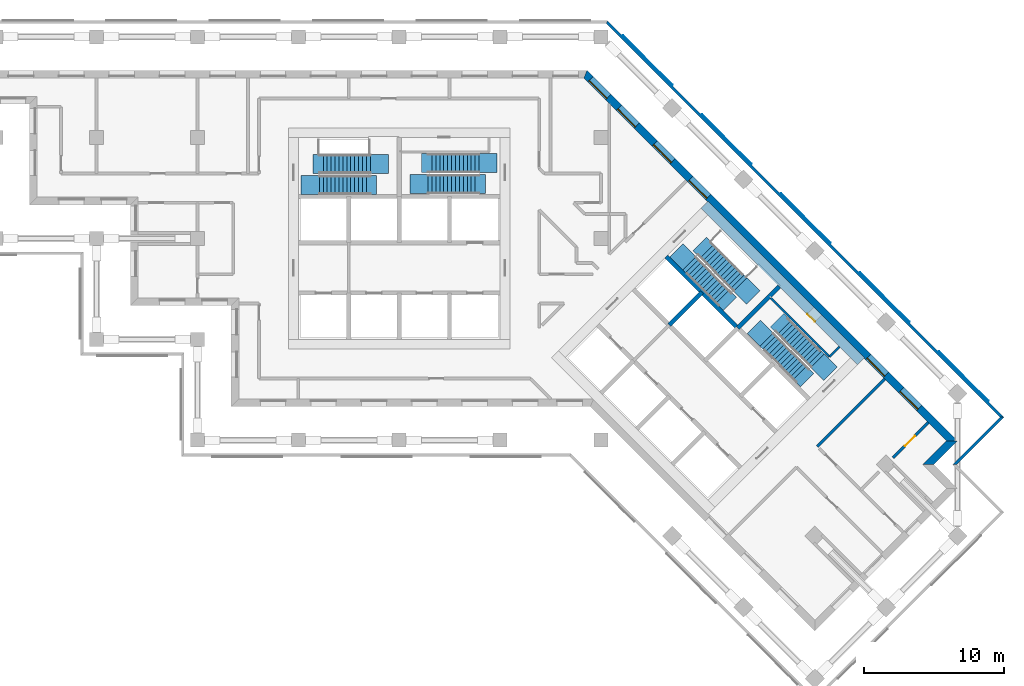
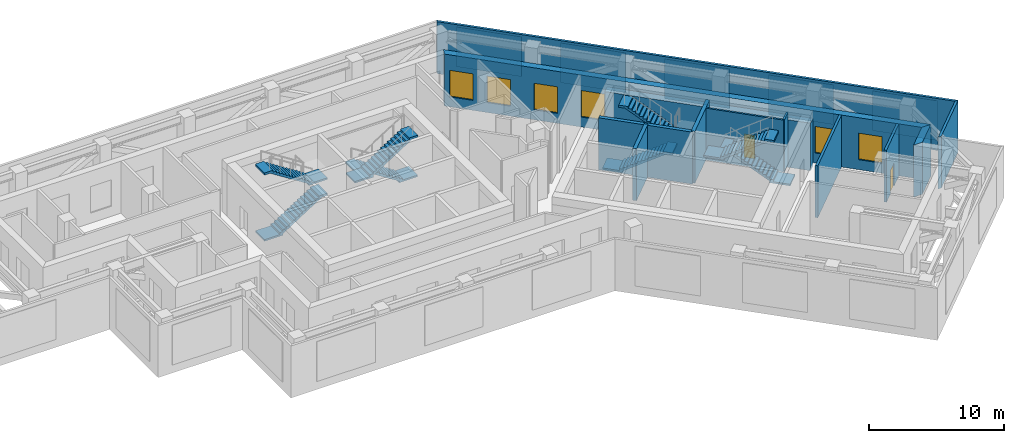
# One storey, part 7 of 9: 12 walls, 8 stair flights, 6 windows, 5 plates, 2 doors, 8 openings, 4 elements without a shape of their own.
"""IFC4 building model written with IfcOpenShell, lengths in metres."""

from ifc_helpers import new_model, si_unit, direction, frame, frame_2d, origin, place, context, subcontext, project, spatial, polyline, rectangle, outline, extrude, material, layer, layer_set, type_object, element, fill, aggregate, save


model = new_model("IFC4")

# Units and contexts
model_context = context("Model", 3, precision=1e-05, world=origin(), true_north=direction((0.0, 1.0)))
body_context = subcontext(model_context, "Body", "Model", "MODEL_VIEW")
ifc_project = project(units=[si_unit("LENGTHUNIT", "METRE"), si_unit("AREAUNIT", "SQUARE_METRE"), si_unit("VOLUMEUNIT", "CUBIC_METRE"), si_unit("PLANEANGLEUNIT", "RADIAN"), si_unit("MASSUNIT", "GRAM", prefix="KILO")], contexts=[model_context])

# Plate
ifc_material_1 = material(Name="Aluminium louvre", Category="aluminium")
ifc_layer_1 = layer(ifc_material_1, 0.05)
ifc_layer_set_1 = layer_set([ifc_layer_1], Name="Belt louvre panel 5000x3600")
plate_type = type_object("IfcPlateType", Name="Belt louvre panel 5000x3600", PredefinedType="SHEET", material=ifc_layer_set_1)
site_placement = place(None, origin())
building_placement = place(site_placement, origin())
storey_placement = place(building_placement, frame((0.0, 0.0, 126.2)))
plate_1_placement = place(storey_placement, frame((106.8914, 46.0057, 0.75), z_axis=(0.7070967812, 0.7071167811, 0.0), x_axis=(-0.7071167811, 0.7070967812, 0.0)))
plate_1 = element("IfcPlate", 1, at=plate_1_placement, type_object=plate_type, Name="Belt louvre panel L34 11.1", PredefinedType="SHEET", context=body_context, shape_type="SweptSolid", body=[
    extrude(outline(polyline([(0.0, 0.0), (5.0, 0.0), (5.0, 3.6), (0.0, 3.6), (0.0, 0.0)])), origin(), (0.0, 0.0, -1.0), 0.05),
])

plate_2_placement = place(storey_placement, frame((101.2508, 51.6463, 0.75), z_axis=(0.7070967812, 0.7071167811, 0.0), x_axis=(-0.7071167811, 0.7070967812, 0.0)))
plate_2 = element("IfcPlate", 2, at=plate_2_placement, type_object=plate_type, Name="Belt louvre panel L34 12.2", PredefinedType="SHEET", context=body_context, shape_type="SweptSolid", body=[
    extrude(outline(polyline([(0.0, 0.0), (5.0, 0.0), (5.0, 3.6), (0.0, 3.6), (0.0, 0.0)])), origin(), (0.0, 0.0, -1.0), 0.05),
])

plate_3_placement = place(storey_placement, frame((95.6102, 57.2869, 0.75), z_axis=(0.7070967812, 0.7071167811, 0.0), x_axis=(-0.7071167811, 0.7070967812, 0.0)))
plate_3 = element("IfcPlate", 3, at=plate_3_placement, type_object=plate_type, Name="Belt louvre panel L34 13.3", PredefinedType="SHEET", context=body_context, shape_type="SweptSolid", body=[
    extrude(outline(polyline([(0.0, 0.0), (5.0, 0.0), (5.0, 3.6), (0.0, 3.6), (0.0, 0.0)])), origin(), (0.0, 0.0, -1.0), 0.05),
])

plate_4_placement = place(storey_placement, frame((89.9697, 62.9274, 0.75), z_axis=(0.7070967812, 0.7071167811, 0.0), x_axis=(-0.7071167811, 0.7070967812, 0.0)))
plate_4 = element("IfcPlate", 4, at=plate_4_placement, type_object=plate_type, Name="Belt louvre panel L34 14.4", PredefinedType="SHEET", context=body_context, shape_type="SweptSolid", body=[
    extrude(outline(polyline([(0.0, 0.0), (5.0, 0.0), (5.0, 3.6), (0.0, 3.6), (0.0, 0.0)])), origin(), (0.0, 0.0, -1.0), 0.05),
])

plate_5_placement = place(storey_placement, frame((84.3291, 68.568, 0.75), z_axis=(0.7070967812, 0.7071167811, 0.0), x_axis=(-0.7071167811, 0.7070967812, 0.0)))
plate_5 = element("IfcPlate", 5, at=plate_5_placement, type_object=plate_type, Name="Belt louvre panel L34 15.5", PredefinedType="SHEET", context=body_context, shape_type="SweptSolid", body=[
    extrude(outline(polyline([(0.0, 0.0), (5.0, 0.0), (5.0, 3.6), (0.0, 3.6), (0.0, 0.0)])), origin(), (0.0, 0.0, -1.0), 0.05),
])

# Site, building, storey
site = spatial("IfcSite", under=ifc_project, at=site_placement, CompositionType="ELEMENT")
building = spatial("IfcBuilding", under=site, at=building_placement, Name="Windrow Commons", CompositionType="ELEMENT")
storey = spatial("IfcBuildingStorey", under=building, at=storey_placement, Name="L34", CompositionType="ELEMENT", Elevation=126.2)

# Wall
ifc_material_2 = material(Name="Concrete C40/50 precast screen panel", Category="concrete")
ifc_layer_2 = layer(ifc_material_2, 0.2)
ifc_layer_set_2 = layer_set([ifc_layer_2], Name="Belt screen wall 200")
wall_type_1 = type_object("IfcWallType", Name="Belt screen wall 200", PredefinedType="SOLIDWALL", material=ifc_layer_set_2)
wall_1_placement = place(storey_placement, frame((104.4437, 41.453, 0.0), z_axis=(0.0, 0.0, 1.0), x_axis=(0.7071067812, 0.7071067812, 0.0)))
element("IfcWall", 6, at=wall_1_placement, inside=storey, type_object=wall_type_1, Name="Belt screen wall L34 4", PredefinedType="SOLIDWALL", context=body_context, shape_type="SweptSolid", body=[
    extrude(outline(polyline([(0.1, -0.1), (4.9, -0.1), (4.7, 0.1), (-0.1, 0.1), (0.1, -0.1)])), origin(), (0.0, 0.0, 1.0), 4.7),
])

wall_2_placement = place(storey_placement, frame((107.8378, 44.8471, 0.0), z_axis=(0.0, 0.0, 1.0), x_axis=(-0.7071067812, 0.7071067812, 0.0)))
wall_2 = element("IfcWall", 7, at=wall_2_placement, inside=storey, type_object=wall_type_1, Name="Belt screen wall L34 11", PredefinedType="SOLIDWALL", context=body_context, shape_type="SweptSolid", body=[
    extrude(outline(polyline([(-0.1, -0.1), (39.9263, -0.1), (39.8435, 0.1), (0.1, 0.1), (-0.1, -0.1)])), origin(), (0.0, 0.0, 1.0), 4.7),
])

aggregate(wall_2, [plate_1, plate_2, plate_3, plate_4, plate_5])

ifc_material_3 = material(Name="Brick masonry, red clay brick", Category="masonry")
ifc_layer_3 = layer(ifc_material_3, 0.55)
ifc_layer_set_3 = layer_set([ifc_layer_3], Name="Brick facade wall 550")
wall_type_2 = type_object("IfcWallType", Name="Brick facade wall 550", PredefinedType="SOLIDWALL", material=ifc_layer_set_3)
wall_3_placement = place(storey_placement, frame((102.5699, 41.453, 0.0), z_axis=(0.0, 0.0, 1.0), x_axis=(0.7071067812, 0.7071067812, 0.0)))
element("IfcWall", 8, at=wall_3_placement, inside=storey, type_object=wall_type_2, Name="Brick facade wall L34 2", PredefinedType="SOLIDWALL", context=body_context, shape_type="SweptSolid", body=[
    extrude(outline(polyline([(0.275, -0.275), (2.6749, -0.275), (2.1249, 0.275), (-0.275, 0.275), (0.275, -0.275)])), origin(), (0.0, 0.0, 1.0), 4.7),
])

# Wall, openings, windows
wall_4_placement = place(storey_placement, frame((104.2669, 43.15, 0.0), z_axis=(0.0, 0.0, 1.0), x_axis=(-0.7071054305, 0.7071081319, 0.0)))
wall_4 = element("IfcWall", 9, at=wall_4_placement, inside=storey, type_object=wall_type_2, Name="Brick facade wall L34 3", PredefinedType="SOLIDWALL", context=body_context, shape_type="SweptSolid", body=[
    extrude(outline(polyline([(-0.275, -0.275), (37.1309, -0.275), (36.9031, 0.275), (0.275, 0.275), (-0.275, -0.275)])), origin(), (0.0, 0.0, 1.0), 4.7),
])
opening_1_placement = place(wall_4_placement, frame((3.325, 0.0, 0.9)))
opening_1 = element("IfcOpeningElement", 10, at=opening_1_placement, cuts=wall_4, Name="Opening LV1", PredefinedType="OPENING", context=body_context, shape_type="SweptSolid", body=[
    extrude(rectangle(XDim=1.8, YDim=2.4, at=frame_2d((0.9, 1.2))), frame((0.0, 0.285, 0.0), z_axis=(0.0, -1.0, 0.0), x_axis=(1.0, 0.0, 0.0)), (0.0, 0.0, 1.0), 0.57),
])
opening_2_placement = place(wall_4_placement, frame((6.675, 0.0, 0.9)))
opening_2 = element("IfcOpeningElement", 11, at=opening_2_placement, cuts=wall_4, Name="Opening LV1", PredefinedType="OPENING", context=body_context, shape_type="SweptSolid", body=[
    extrude(rectangle(XDim=1.8, YDim=2.4, at=frame_2d((0.9, 1.2))), frame((0.0, 0.285, 0.0), z_axis=(0.0, -1.0, 0.0), x_axis=(1.0, 0.0, 0.0)), (0.0, 0.0, 1.0), 0.57),
])
opening_3_placement = place(wall_4_placement, frame((24.625, 0.0, 0.9)))
opening_3 = element("IfcOpeningElement", 12, at=opening_3_placement, cuts=wall_4, Name="Opening LV1", PredefinedType="OPENING", context=body_context, shape_type="SweptSolid", body=[
    extrude(rectangle(XDim=1.8, YDim=2.4, at=frame_2d((0.9, 1.2))), frame((0.0, 0.285, 0.0), z_axis=(0.0, -1.0, 0.0), x_axis=(1.0, 0.0, 0.0)), (0.0, 0.0, 1.0), 0.57),
])
opening_4_placement = place(wall_4_placement, frame((28.225, 0.0, 0.9)))
opening_4 = element("IfcOpeningElement", 13, at=opening_4_placement, cuts=wall_4, Name="Opening LV1", PredefinedType="OPENING", context=body_context, shape_type="SweptSolid", body=[
    extrude(rectangle(XDim=1.8, YDim=2.4, at=frame_2d((0.9, 1.2))), frame((0.0, 0.285, 0.0), z_axis=(0.0, -1.0, 0.0), x_axis=(1.0, 0.0, 0.0)), (0.0, 0.0, 1.0), 0.57),
])
opening_5_placement = place(wall_4_placement, frame((31.825, 0.0, 0.9)))
opening_5 = element("IfcOpeningElement", 14, at=opening_5_placement, cuts=wall_4, Name="Opening LV1", PredefinedType="OPENING", context=body_context, shape_type="SweptSolid", body=[
    extrude(rectangle(XDim=1.8, YDim=2.4, at=frame_2d((0.9, 1.2))), frame((0.0, 0.285, 0.0), z_axis=(0.0, -1.0, 0.0), x_axis=(1.0, 0.0, 0.0)), (0.0, 0.0, 1.0), 0.57),
])
opening_6_placement = place(wall_4_placement, frame((34.714, 0.0, 0.9)))
opening_6 = element("IfcOpeningElement", 15, at=opening_6_placement, cuts=wall_4, Name="Opening LV1", PredefinedType="OPENING", context=body_context, shape_type="SweptSolid", body=[
    extrude(rectangle(XDim=1.8, YDim=2.4, at=frame_2d((0.9, 1.2))), frame((0.0, 0.285, 0.0), z_axis=(0.0, -1.0, 0.0), x_axis=(1.0, 0.0, 0.0)), (0.0, 0.0, 1.0), 0.57),
])
ifc_material_4 = material(Name="Aluminium 6063-T6 anodised louvre", Category="aluminium")
window_type = type_object("IfcWindowType", Name="Plant louvre 1800x2400", PartitioningType="SINGLE_PANEL", PredefinedType="WINDOW", material=ifc_material_4)
window_1_placement = place(opening_1_placement, origin())
window_1 = element("IfcWindow", 16, at=window_1_placement, inside=storey, type_object=window_type, Name="Louvre L34 3.1", OverallHeight=2.4, OverallWidth=1.8, PartitioningType="SINGLE_PANEL", PredefinedType="WINDOW", context=body_context, shape_type="SweptSolid", body=[
    extrude(rectangle(XDim=1.8, YDim=2.4, at=frame_2d((0.9, 1.2))), frame((0.0, 0.155, 0.0), z_axis=(0.0, -1.0, 0.0), x_axis=(1.0, 0.0, 0.0)), (0.0, 0.0, 1.0), 0.06),
])
fill(opening_1, window_1)
window_2_placement = place(opening_2_placement, origin())
window_2 = element("IfcWindow", 17, at=window_2_placement, inside=storey, type_object=window_type, Name="Louvre L34 3.2", OverallHeight=2.4, OverallWidth=1.8, PartitioningType="SINGLE_PANEL", PredefinedType="WINDOW", context=body_context, shape_type="SweptSolid", body=[
    extrude(rectangle(XDim=1.8, YDim=2.4, at=frame_2d((0.9, 1.2))), frame((0.0, 0.155, 0.0), z_axis=(0.0, -1.0, 0.0), x_axis=(1.0, 0.0, 0.0)), (0.0, 0.0, 1.0), 0.06),
])
fill(opening_2, window_2)
window_3_placement = place(opening_3_placement, origin())
window_3 = element("IfcWindow", 18, at=window_3_placement, inside=storey, type_object=window_type, Name="Louvre L34 3.3", OverallHeight=2.4, OverallWidth=1.8, PartitioningType="SINGLE_PANEL", PredefinedType="WINDOW", context=body_context, shape_type="SweptSolid", body=[
    extrude(rectangle(XDim=1.8, YDim=2.4, at=frame_2d((0.9, 1.2))), frame((0.0, 0.155, 0.0), z_axis=(0.0, -1.0, 0.0), x_axis=(1.0, 0.0, 0.0)), (0.0, 0.0, 1.0), 0.06),
])
fill(opening_3, window_3)
window_4_placement = place(opening_4_placement, origin())
window_4 = element("IfcWindow", 19, at=window_4_placement, inside=storey, type_object=window_type, Name="Louvre L34 3.4", OverallHeight=2.4, OverallWidth=1.8, PartitioningType="SINGLE_PANEL", PredefinedType="WINDOW", context=body_context, shape_type="SweptSolid", body=[
    extrude(rectangle(XDim=1.8, YDim=2.4, at=frame_2d((0.9, 1.2))), frame((0.0, 0.155, 0.0), z_axis=(0.0, -1.0, 0.0), x_axis=(1.0, 0.0, 0.0)), (0.0, 0.0, 1.0), 0.06),
])
fill(opening_4, window_4)
window_5_placement = place(opening_5_placement, origin())
window_5 = element("IfcWindow", 20, at=window_5_placement, inside=storey, type_object=window_type, Name="Louvre L34 3.5", OverallHeight=2.4, OverallWidth=1.8, PartitioningType="SINGLE_PANEL", PredefinedType="WINDOW", context=body_context, shape_type="SweptSolid", body=[
    extrude(rectangle(XDim=1.8, YDim=2.4, at=frame_2d((0.9, 1.2))), frame((0.0, 0.155, 0.0), z_axis=(0.0, -1.0, 0.0), x_axis=(1.0, 0.0, 0.0)), (0.0, 0.0, 1.0), 0.06),
])
fill(opening_5, window_5)
window_6_placement = place(opening_6_placement, origin())
window_6 = element("IfcWindow", 21, at=window_6_placement, inside=storey, type_object=window_type, Name="Louvre L34 3.6", OverallHeight=2.4, OverallWidth=1.8, PartitioningType="SINGLE_PANEL", PredefinedType="WINDOW", context=body_context, shape_type="SweptSolid", body=[
    extrude(rectangle(XDim=1.8, YDim=2.4, at=frame_2d((0.9, 1.2))), frame((0.0, 0.155, 0.0), z_axis=(0.0, -1.0, 0.0), x_axis=(1.0, 0.0, 0.0)), (0.0, 0.0, 1.0), 0.06),
])
fill(opening_6, window_6)

# Wall
ifc_material_5 = material(Name="Blockwork partition", Category="masonry")
ifc_layer_4 = layer(ifc_material_5, 0.2)
ifc_layer_set_4 = layer_set([ifc_layer_4], Name="IW-CORRIDOR-200")
wall_type_3 = type_object("IfcWallType", Name="IW-CORRIDOR-200", PredefinedType="PARTITIONING", material=ifc_layer_set_4)
wall_5_placement = place(storey_placement, frame((94.6497, 42.7623, 0.0), z_axis=(0.0, 0.0, 1.0), x_axis=(0.7071067812, 0.7071067812, 0.0)))
element("IfcWall", 22, at=wall_5_placement, inside=storey, type_object=wall_type_3, Name="W-L34-W009", PredefinedType="PARTITIONING", context=body_context, shape_type="SweptSolid", body=[
    extrude(rectangle(XDim=6.7995, YDim=0.2, at=frame_2d((3.3998, 0.0))), origin(), (0.0, 0.0, 1.0), 4.7),
])

# Wall, opening, door
ifc_material_6 = material(Name="Blockwork partition", Category="masonry")
ifc_layer_5 = layer(ifc_material_6, 0.2)
ifc_layer_set_5 = layer_set([ifc_layer_5], Name="IW-PARTY-200")
wall_type_4 = type_object("IfcWallType", Name="IW-PARTY-200", PredefinedType="PARTITIONING", material=ifc_layer_set_5)
wall_6_placement = place(storey_placement, frame((100.063, 41.953, 0.0), z_axis=(0.0, 0.0, 1.0), x_axis=(0.7071067812, 0.7071067812, 0.0)))
wall_6 = element("IfcWall", 23, at=wall_6_placement, inside=storey, type_object=wall_type_4, Name="W-L34-W028", PredefinedType="PARTITIONING", context=body_context, shape_type="SweptSolid", body=[
    extrude(rectangle(XDim=3.544, YDim=0.2, at=frame_2d((1.772, 0.0))), origin(), (0.0, 0.0, 1.0), 4.7),
])
opening_7_placement = place(wall_6_placement, frame((1.1991, 0.0, 0.0)))
opening_7 = element("IfcOpeningElement", 24, at=opening_7_placement, cuts=wall_6, Name="Opening D310N", PredefinedType="OPENING", context=body_context, shape_type="SweptSolid", body=[
    extrude(rectangle(XDim=1.0, YDim=2.1, at=frame_2d((0.5, 1.05))), frame((0.0, 0.11, 0.0), z_axis=(0.0, -1.0, 0.0), x_axis=(1.0, 0.0, 0.0)), (0.0, 0.0, 1.0), 0.22),
])
ifc_material_7 = material(Name="Timber door leaf", Category="wood")
door_type_1 = type_object("IfcDoorType", Name="DT-AMENITY-1000", OperationType="SINGLE_SWING_LEFT", PredefinedType="DOOR", material=ifc_material_7)
door_1_placement = place(opening_7_placement, origin())
door_1 = element("IfcDoor", 25, at=door_1_placement, inside=storey, type_object=door_type_1, Name="D-L34-DX02", OperationType="SINGLE_SWING_LEFT", OverallHeight=2.1, OverallWidth=1.0, PredefinedType="DOOR", context=body_context, shape_type="SweptSolid", body=[
    extrude(rectangle(XDim=1.0, YDim=2.1, at=frame_2d((0.5, 1.05))), frame((0.0, 0.025, 0.0), z_axis=(0.0, -1.0, 0.0), x_axis=(1.0, 0.0, 0.0)), (0.0, 0.0, 1.0), 0.05),
])
fill(opening_7, door_1)

ifc_material_8 = material(Name="Concrete C50/60", Category="concrete")
ifc_layer_6 = layer(ifc_material_8, 0.7)
ifc_layer_set_6 = layer_set([ifc_layer_6], Name="RC CORE WALL 700 C50/60")
wall_type_5 = type_object("IfcWallType", Name="RC CORE WALL 700 C50/60", PredefinedType="SHEAR", material=ifc_layer_set_6)
wall_7_placement = place(storey_placement, frame((86.5893, 60.0145, -0.3), z_axis=(0.0, 0.0, 1.0), x_axis=(0.7071099457, -0.7071036166, 0.0)))
wall_7 = element("IfcWall", 26, at=wall_7_placement, inside=storey, type_object=wall_type_5, Name="Core B wall outer-N", PredefinedType="SHEAR", context=body_context, shape_type="SweptSolid", body=[
    extrude(rectangle(XDim=15.7999, YDim=0.7, at=frame_2d((7.8999, 0.0))), origin(), (0.0, 0.0, 1.0), 4.3),
])
opening_8_placement = place(wall_7_placement, frame((10.7, 0.0, 0.3)))
opening_8 = element("IfcOpeningElement", 27, at=opening_8_placement, cuts=wall_7, Name="Opening D9", PredefinedType="OPENING", context=body_context, shape_type="SweptSolid", body=[
    extrude(rectangle(XDim=0.8, YDim=2.1, at=frame_2d((0.4, 1.05))), frame((0.0, 0.36, 0.0), z_axis=(0.0, -1.0, 0.0), x_axis=(1.0, 0.0, 0.0)), (0.0, 0.0, 1.0), 0.72),
])
ifc_material_9 = material(Name="Steel fire door leaf", Category="steel")
door_type_2 = type_object("IfcDoorType", Name="Riser access door 800", OperationType="SINGLE_SWING_LEFT", PredefinedType="DOOR", material=ifc_material_9)
door_2_placement = place(opening_8_placement, origin())
door_2 = element("IfcDoor", 28, at=door_2_placement, inside=storey, type_object=door_type_2, Name="Riser access door", OperationType="SINGLE_SWING_RIGHT", OverallHeight=2.1, OverallWidth=0.8, PredefinedType="DOOR", context=body_context, shape_type="SweptSolid", body=[
    extrude(rectangle(XDim=0.8, YDim=2.1, at=frame_2d((0.4, 1.05))), frame((0.0, -0.29, 0.0), z_axis=(0.0, -1.0, 0.0), x_axis=(1.0, 0.0, 0.0)), (0.0, 0.0, 1.0), 0.05),
])
fill(opening_8, door_2)

# Walls
ifc_material_10 = material(Name="Concrete C50/60", Category="concrete")
ifc_layer_7 = layer(ifc_material_10, 0.3)
ifc_layer_set_7 = layer_set([ifc_layer_7], Name="RC SHAFT WALL 300 C50/60")
wall_type_6 = type_object("IfcWallType", Name="RC SHAFT WALL 300 C50/60", PredefinedType="SOLIDWALL", material=ifc_layer_set_7)
wall_8_placement = place(storey_placement, frame((84.079, 51.4232, 0.0), z_axis=(0.0, 0.0, 1.0), x_axis=(0.7071219326, 0.7070916295, 0.0)))
element("IfcWall", 29, at=wall_8_placement, inside=storey, type_object=wall_type_6, Name="Core B wall shaft-N1", PredefinedType="SOLIDWALL", context=body_context, shape_type="SweptSolid", body=[
    extrude(rectangle(XDim=3.3, YDim=0.3, at=frame_2d((1.65, 0.0))), origin(), (0.0, 0.0, 1.0), 4.7),
])
wall_9_placement = place(storey_placement, frame((83.8669, 56.3022, 0.0), z_axis=(0.0, 0.0, 1.0), x_axis=(0.7071137256, -0.7070998367, 0.0)))
element("IfcWall", 30, at=wall_9_placement, inside=storey, type_object=wall_type_6, Name="Core B wall stair-S", PredefinedType="SOLIDWALL", context=body_context, shape_type="SweptSolid", body=[
    extrude(rectangle(XDim=7.2, YDim=0.3, at=frame_2d((3.6, 0.0))), origin(), (0.0, 0.0, 1.0), 4.7),
])
wall_10_placement = place(storey_placement, frame((88.9581, 51.2111, 0.0), z_axis=(0.0, 0.0, 1.0), x_axis=(0.7071067812, 0.7071067812, 0.0)))
element("IfcWall", 31, at=wall_10_placement, inside=storey, type_object=wall_type_6, Name="Core B wall stair-mid", PredefinedType="SOLIDWALL", context=body_context, shape_type="SweptSolid", body=[
    extrude(rectangle(XDim=4.1999, YDim=0.3, at=frame_2d((2.1, 0.0))), origin(), (0.0, 0.0, 1.0), 4.7),
])
ifc_material_11 = material(Name="Blockwork partition", Category="masonry")
ifc_layer_8 = layer(ifc_material_11, 0.15)
ifc_layer_set_8 = layer_set([ifc_layer_8], Name="Riser partition 150")
wall_type_7 = type_object("IfcWallType", Name="Riser partition 150", PredefinedType="PARTITIONING", material=ifc_layer_set_8)
wall_11_placement = place(storey_placement, frame((91.3127, 53.3536, 0.0), z_axis=(0.0, 0.0, 1.0), x_axis=(0.7071067812, -0.7071067812, 0.0)))
element("IfcWall", 32, at=wall_11_placement, inside=storey, type_object=wall_type_7, Name="W-core-strip-B-L34", PredefinedType="PARTITIONING", context=body_context, shape_type="SweptSolid", body=[
    extrude(rectangle(XDim=5.95, YDim=0.15, at=frame_2d((2.975, 0.0))), origin(), (0.0, 0.0, 1.0), 4.7),
])
wall_12_placement = place(storey_placement, frame((95.52, 49.1463, 0.0), z_axis=(0.0, 0.0, 1.0), x_axis=(0.7071067812, 0.7071067812, 0.0)))
element("IfcWall", 33, at=wall_12_placement, inside=storey, type_object=wall_type_7, Name="W-core-stripx-B-L34-1", PredefinedType="PARTITIONING", context=body_context, shape_type="SweptSolid", body=[
    extrude(rectangle(XDim=1.0201, YDim=0.15, at=frame_2d((0.5101, 0.0))), origin(), (0.0, 0.0, 1.0), 4.7),
])

# Stair, stair flights
ifc_material_12 = material(Name="Concrete C40/50", Category="concrete")
stair_type = type_object("IfcStairType", Name="Core stair", PredefinedType="HALF_TURN_STAIR", material=ifc_material_12)
placement = place(storey_placement, origin())
stair_1 = element("IfcStair", 34, at=placement, inside=storey, type_object=stair_type, Name="L34 Exit stair A1 core A", PredefinedType="HALF_TURN_STAIR")
ifc_material_13 = material(Name="Concrete C40/50", Category="concrete")
stair_flight_type = type_object("IfcStairFlightType", Name="Core stair flight", PredefinedType="STRAIGHT", material=ifc_material_13)
stair_flight_1_placement = place(storey_placement, frame((59.1, 61.425, 0.0), z_axis=(0.0, 0.0, 1.0), x_axis=(1.0, 0.0, 0.0)))
stair_flight_1 = element("IfcStairFlight", 35, at=stair_flight_1_placement, type_object=stair_flight_type, Name="ST-A1 flight 1", NumberOfRisers=14, NumberOfTreads=13, PredefinedType="STRAIGHT", RiserHeight=0.178571429, TreadLength=0.28, context=body_context, shape_type="SweptSolid", body=[
    extrude(outline(polyline([(-1.3, -0.15), (-1.3, 0.0), (0.0, 0.0), (0.0, 0.1786), (0.28, 0.1786), (0.28, 0.3571), (0.56, 0.3571), (0.56, 0.5357), (0.84, 0.5357), (0.84, 0.7143), (1.12, 0.7143), (1.12, 0.8929), (1.4, 0.8929), (1.4, 1.0714), (1.68, 1.0714), (1.68, 1.25), (1.96, 1.25), (1.96, 1.4286), (2.24, 1.4286), (2.24, 1.6071), (2.52, 1.6071), (2.52, 1.7857), (2.8, 1.7857), (2.8, 1.9643), (3.08, 1.9643), (3.08, 2.1429), (3.36, 2.1429), (3.36, 2.3214), (3.64, 2.3214), (4.09, 2.3214), (4.09, 2.1214), (3.64, 2.1214), (3.64, 2.1435), (0.279, 0.0), (0.279, -0.15), (-1.3, -0.15)])), frame((0.0, 0.675, 0.0), z_axis=(0.0, -1.0, 0.0), x_axis=(1.0, 0.0, 0.0)), (0.0, 0.0, 1.0), 1.35),
])
stair_flight_2_placement = place(storey_placement, frame((62.74, 62.925, 2.5), z_axis=(0.0, 0.0, 1.0), x_axis=(-1.0, 0.0, 0.0)))
stair_flight_2 = element("IfcStairFlight", 36, at=stair_flight_2_placement, type_object=stair_flight_type, Name="ST-A1 flight 2", NumberOfRisers=14, NumberOfTreads=13, PredefinedType="STRAIGHT", RiserHeight=0.178571429, TreadLength=0.28, context=body_context, shape_type="SweptSolid", body=[
    extrude(outline(polyline([(-1.3, -0.15), (-1.3, 0.0), (0.0, 0.0), (0.0, 0.1786), (0.28, 0.1786), (0.28, 0.3571), (0.56, 0.3571), (0.56, 0.5357), (0.84, 0.5357), (0.84, 0.7143), (1.12, 0.7143), (1.12, 0.8929), (1.4, 0.8929), (1.4, 1.0714), (1.68, 1.0714), (1.68, 1.25), (1.96, 1.25), (1.96, 1.4286), (2.24, 1.4286), (2.24, 1.6071), (2.52, 1.6071), (2.52, 1.7857), (2.8, 1.7857), (2.8, 1.9643), (3.08, 1.9643), (3.08, 2.1429), (3.36, 2.1429), (3.36, 2.3214), (3.64, 2.3214), (4.09, 2.3214), (4.09, 2.1214), (3.64, 2.1214), (3.64, 2.1435), (0.279, 0.0), (0.279, -0.15), (-1.3, -0.15)])), frame((0.0, 0.675, 0.0), z_axis=(0.0, -1.0, 0.0), x_axis=(1.0, 0.0, 0.0)), (0.0, 0.0, 1.0), 1.35),
])
aggregate(stair_1, [stair_flight_1, stair_flight_2])

stair_2 = element("IfcStair", 37, at=placement, inside=storey, type_object=stair_type, Name="L34 Exit stair A2 core A", PredefinedType="HALF_TURN_STAIR")
stair_flight_3_placement = place(storey_placement, frame((70.5, 62.98, 0.0), z_axis=(0.0, 0.0, 1.0), x_axis=(-1.0, 0.0, 0.0)))
stair_flight_3 = element("IfcStairFlight", 38, at=stair_flight_3_placement, type_object=stair_flight_type, Name="ST-A2 flight 1", NumberOfRisers=14, NumberOfTreads=13, PredefinedType="STRAIGHT", RiserHeight=0.178571429, TreadLength=0.28, context=body_context, shape_type="SweptSolid", body=[
    extrude(outline(polyline([(-1.3, -0.15), (-1.3, 0.0), (0.0, 0.0), (0.0, 0.1786), (0.28, 0.1786), (0.28, 0.3571), (0.56, 0.3571), (0.56, 0.5357), (0.84, 0.5357), (0.84, 0.7143), (1.12, 0.7143), (1.12, 0.8929), (1.4, 0.8929), (1.4, 1.0714), (1.68, 1.0714), (1.68, 1.25), (1.96, 1.25), (1.96, 1.4286), (2.24, 1.4286), (2.24, 1.6071), (2.52, 1.6071), (2.52, 1.7857), (2.8, 1.7857), (2.8, 1.9643), (3.08, 1.9643), (3.08, 2.1429), (3.36, 2.1429), (3.36, 2.3214), (3.64, 2.3214), (4.09, 2.3214), (4.09, 2.1214), (3.64, 2.1214), (3.64, 2.1435), (0.279, 0.0), (0.279, -0.15), (-1.3, -0.15)])), frame((0.0, 0.675, 0.0), z_axis=(0.0, -1.0, 0.0), x_axis=(1.0, 0.0, 0.0)), (0.0, 0.0, 1.0), 1.35),
])
stair_flight_4_placement = place(storey_placement, frame((66.86, 61.48, 2.5), z_axis=(0.0, 0.0, 1.0), x_axis=(1.0, 0.0, 0.0)))
stair_flight_4 = element("IfcStairFlight", 39, at=stair_flight_4_placement, type_object=stair_flight_type, Name="ST-A2 flight 2", NumberOfRisers=14, NumberOfTreads=13, PredefinedType="STRAIGHT", RiserHeight=0.178571429, TreadLength=0.28, context=body_context, shape_type="SweptSolid", body=[
    extrude(outline(polyline([(-1.3, -0.15), (-1.3, 0.0), (0.0, 0.0), (0.0, 0.1786), (0.28, 0.1786), (0.28, 0.3571), (0.56, 0.3571), (0.56, 0.5357), (0.84, 0.5357), (0.84, 0.7143), (1.12, 0.7143), (1.12, 0.8929), (1.4, 0.8929), (1.4, 1.0714), (1.68, 1.0714), (1.68, 1.25), (1.96, 1.25), (1.96, 1.4286), (2.24, 1.4286), (2.24, 1.6071), (2.52, 1.6071), (2.52, 1.7857), (2.8, 1.7857), (2.8, 1.9643), (3.08, 1.9643), (3.08, 2.1429), (3.36, 2.1429), (3.36, 2.3214), (3.64, 2.3214), (4.09, 2.3214), (4.09, 2.1214), (3.64, 2.1214), (3.64, 2.1435), (0.279, 0.0), (0.279, -0.15), (-1.3, -0.15)])), frame((0.0, 0.675, 0.0), z_axis=(0.0, -1.0, 0.0), x_axis=(1.0, 0.0, 0.0)), (0.0, 0.0, 1.0), 1.35),
])
aggregate(stair_2, [stair_flight_3, stair_flight_4])

stair_3 = element("IfcStair", 40, at=placement, inside=storey, type_object=stair_type, Name="L34 Exit stair B1 core B", PredefinedType="HALF_TURN_STAIR")
stair_flight_5_placement = place(storey_placement, frame((85.5109, 55.8249, 0.0), z_axis=(0.0, 0.0, 1.0), x_axis=(0.7071067812, -0.7071067812, 0.0)))
stair_flight_5 = element("IfcStairFlight", 41, at=stair_flight_5_placement, type_object=stair_flight_type, Name="ST-B1 flight 1", NumberOfRisers=14, NumberOfTreads=13, PredefinedType="STRAIGHT", RiserHeight=0.178571429, TreadLength=0.28, context=body_context, shape_type="SweptSolid", body=[
    extrude(outline(polyline([(-1.3, -0.15), (-1.3, 0.0), (0.0, 0.0), (0.0, 0.1786), (0.28, 0.1786), (0.28, 0.3571), (0.56, 0.3571), (0.56, 0.5357), (0.84, 0.5357), (0.84, 0.7143), (1.12, 0.7143), (1.12, 0.8929), (1.4, 0.8929), (1.4, 1.0714), (1.68, 1.0714), (1.68, 1.25), (1.96, 1.25), (1.96, 1.4286), (2.24, 1.4286), (2.24, 1.6071), (2.52, 1.6071), (2.52, 1.7857), (2.8, 1.7857), (2.8, 1.9643), (3.08, 1.9643), (3.08, 2.1429), (3.36, 2.1429), (3.36, 2.3214), (3.64, 2.3214), (4.09, 2.3214), (4.09, 2.1214), (3.64, 2.1214), (3.64, 2.1435), (0.279, 0.0), (0.279, -0.15), (-1.3, -0.15)])), frame((0.0, 0.675, 0.0), z_axis=(0.0, -1.0, 0.0), x_axis=(1.0, 0.0, 0.0)), (0.0, 0.0, 1.0), 1.35),
])
stair_flight_6_placement = place(storey_placement, frame((89.1455, 54.3117, 2.5), z_axis=(0.0, 0.0, 1.0), x_axis=(-0.7071067812, 0.7071067812, 0.0)))
stair_flight_6 = element("IfcStairFlight", 42, at=stair_flight_6_placement, type_object=stair_flight_type, Name="ST-B1 flight 2", NumberOfRisers=14, NumberOfTreads=13, PredefinedType="STRAIGHT", RiserHeight=0.178571429, TreadLength=0.28, context=body_context, shape_type="SweptSolid", body=[
    extrude(outline(polyline([(-1.3, -0.15), (-1.3, 0.0), (0.0, 0.0), (0.0, 0.1786), (0.28, 0.1786), (0.28, 0.3571), (0.56, 0.3571), (0.56, 0.5357), (0.84, 0.5357), (0.84, 0.7143), (1.12, 0.7143), (1.12, 0.8929), (1.4, 0.8929), (1.4, 1.0714), (1.68, 1.0714), (1.68, 1.25), (1.96, 1.25), (1.96, 1.4286), (2.24, 1.4286), (2.24, 1.6071), (2.52, 1.6071), (2.52, 1.7857), (2.8, 1.7857), (2.8, 1.9643), (3.08, 1.9643), (3.08, 2.1429), (3.36, 2.1429), (3.36, 2.3214), (3.64, 2.3214), (4.09, 2.3214), (4.09, 2.1214), (3.64, 2.1214), (3.64, 2.1435), (0.279, 0.0), (0.279, -0.15), (-1.3, -0.15)])), frame((0.0, 0.675, 0.0), z_axis=(0.0, -1.0, 0.0), x_axis=(1.0, 0.0, 0.0)), (0.0, 0.0, 1.0), 1.35),
])
aggregate(stair_3, [stair_flight_5, stair_flight_6])

stair_4 = element("IfcStair", 43, at=placement, inside=storey, type_object=stair_type, Name="L34 Exit stair B2 core B", PredefinedType="HALF_TURN_STAIR")
stair_flight_7_placement = place(storey_placement, frame((94.6715, 48.8635, 0.0), z_axis=(0.0, 0.0, 1.0), x_axis=(-0.7071067812, 0.7071067812, 0.0)))
stair_flight_7 = element("IfcStairFlight", 44, at=stair_flight_7_placement, type_object=stair_flight_type, Name="ST-B2 flight 1", NumberOfRisers=14, NumberOfTreads=13, PredefinedType="STRAIGHT", RiserHeight=0.178571429, TreadLength=0.28, context=body_context, shape_type="SweptSolid", body=[
    extrude(outline(polyline([(-1.3, -0.15), (-1.3, 0.0), (0.0, 0.0), (0.0, 0.1786), (0.28, 0.1786), (0.28, 0.3571), (0.56, 0.3571), (0.56, 0.5357), (0.84, 0.5357), (0.84, 0.7143), (1.12, 0.7143), (1.12, 0.8929), (1.4, 0.8929), (1.4, 1.0714), (1.68, 1.0714), (1.68, 1.25), (1.96, 1.25), (1.96, 1.4286), (2.24, 1.4286), (2.24, 1.6071), (2.52, 1.6071), (2.52, 1.7857), (2.8, 1.7857), (2.8, 1.9643), (3.08, 1.9643), (3.08, 2.1429), (3.36, 2.1429), (3.36, 2.3214), (3.64, 2.3214), (4.09, 2.3214), (4.09, 2.1214), (3.64, 2.1214), (3.64, 2.1435), (0.279, 0.0), (0.279, -0.15), (-1.3, -0.15)])), frame((0.0, 0.675, 0.0), z_axis=(0.0, -1.0, 0.0), x_axis=(1.0, 0.0, 0.0)), (0.0, 0.0, 1.0), 1.35),
])
stair_flight_8_placement = place(storey_placement, frame((91.037, 50.3767, 2.5), z_axis=(0.0, 0.0, 1.0), x_axis=(0.7071067812, -0.7071067812, 0.0)))
stair_flight_8 = element("IfcStairFlight", 45, at=stair_flight_8_placement, type_object=stair_flight_type, Name="ST-B2 flight 2", NumberOfRisers=14, NumberOfTreads=13, PredefinedType="STRAIGHT", RiserHeight=0.178571429, TreadLength=0.28, context=body_context, shape_type="SweptSolid", body=[
    extrude(outline(polyline([(-1.3, -0.15), (-1.3, 0.0), (0.0, 0.0), (0.0, 0.1786), (0.28, 0.1786), (0.28, 0.3571), (0.56, 0.3571), (0.56, 0.5357), (0.84, 0.5357), (0.84, 0.7143), (1.12, 0.7143), (1.12, 0.8929), (1.4, 0.8929), (1.4, 1.0714), (1.68, 1.0714), (1.68, 1.25), (1.96, 1.25), (1.96, 1.4286), (2.24, 1.4286), (2.24, 1.6071), (2.52, 1.6071), (2.52, 1.7857), (2.8, 1.7857), (2.8, 1.9643), (3.08, 1.9643), (3.08, 2.1429), (3.36, 2.1429), (3.36, 2.3214), (3.64, 2.3214), (4.09, 2.3214), (4.09, 2.1214), (3.64, 2.1214), (3.64, 2.1435), (0.279, 0.0), (0.279, -0.15), (-1.3, -0.15)])), frame((0.0, 0.675, 0.0), z_axis=(0.0, -1.0, 0.0), x_axis=(1.0, 0.0, 0.0)), (0.0, 0.0, 1.0), 1.35),
])
aggregate(stair_4, [stair_flight_7, stair_flight_8])

save(model, "model.ifc")
